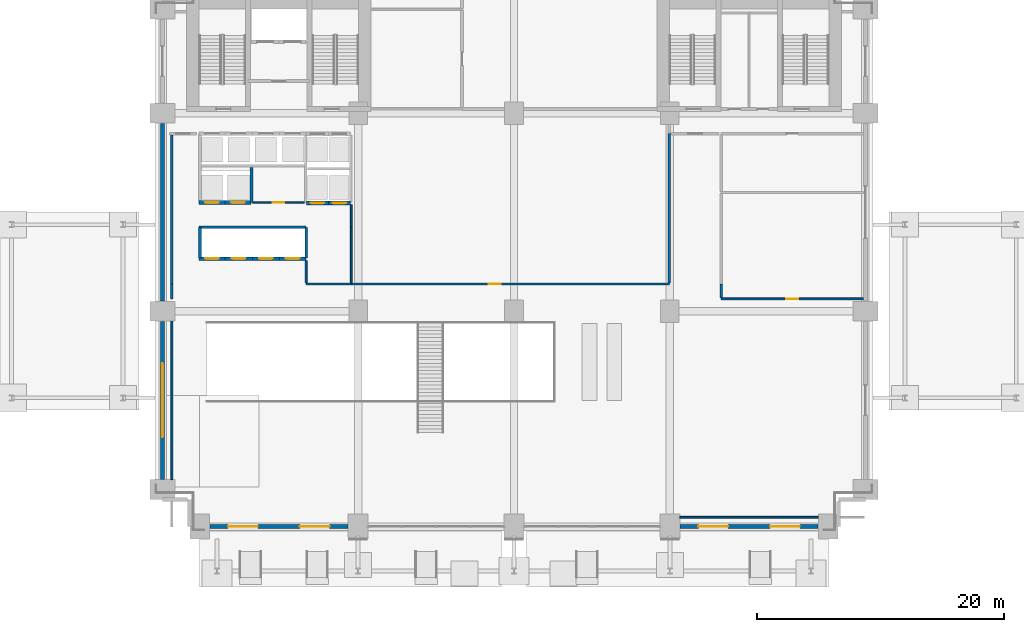
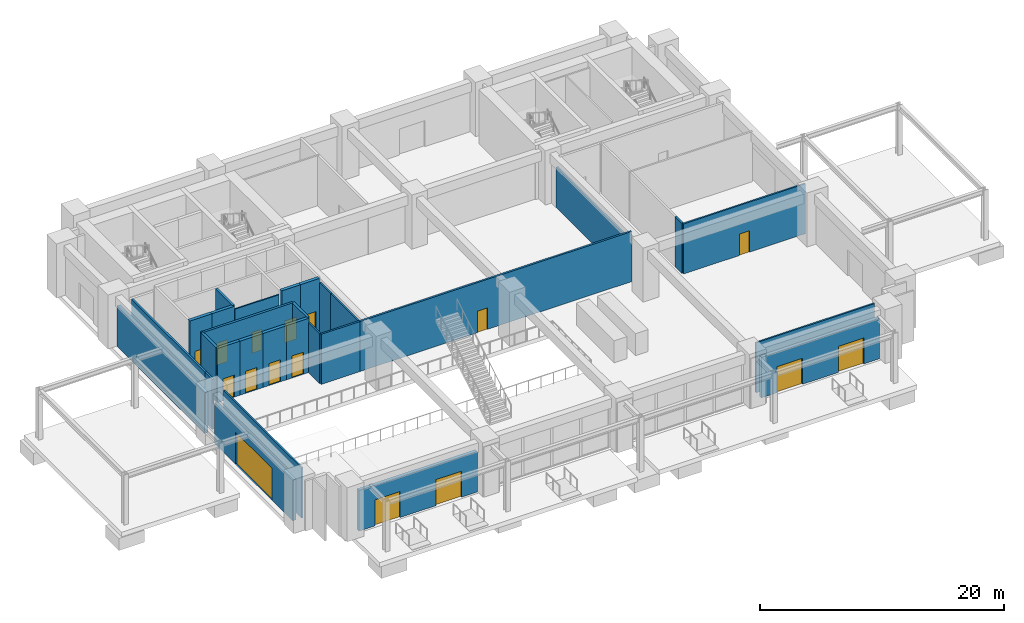
# One storey, part 5 of 14: 29 walls, 16 doors, 16 openings.
"""IFC4 building model written with IfcOpenShell, lengths in metres."""

from ifc_helpers import new_model, si_unit, direction, frame, frame_2d, origin, place, context, subcontext, project, spatial, rectangle, extrude, material, layer, layer_set, type_object, element, fill, save


model = new_model("IFC4")

# Units and contexts
model_context = context("Model", 3, precision=1e-05, world=origin(), true_north=direction((0.0, 1.0)))
body_context = subcontext(model_context, "Body", "Model", "MODEL_VIEW")
ifc_project = project(units=[si_unit("LENGTHUNIT", "METRE"), si_unit("AREAUNIT", "SQUARE_METRE"), si_unit("VOLUMEUNIT", "CUBIC_METRE"), si_unit("PLANEANGLEUNIT", "RADIAN"), si_unit("MASSUNIT", "GRAM", prefix="KILO")], contexts=[model_context])

# Site, building, storey
site_placement = place(None, origin())
site = spatial("IfcSite", under=ifc_project, at=site_placement, CompositionType="ELEMENT")
building_placement = place(site_placement, origin())
building = spatial("IfcBuilding", under=site, at=building_placement, Name="Sulina Concourse Tower", CompositionType="ELEMENT")
storey_placement = place(building_placement, origin())
storey = spatial("IfcBuildingStorey", under=building, at=storey_placement, Name="L00", CompositionType="ELEMENT", Elevation=0.0)

# Walls
ifc_material_1 = material(Name="Concrete C50/60", Category="concrete")
ifc_layer_1 = layer(ifc_material_1, 0.219970703125)
ifc_layer_set_1 = layer_set([ifc_layer_1], Name="Concrete C50/60")
wall_type_1 = type_object("IfcWallType", Name="Core Lift Hoistway Divider Wall 220mm", PredefinedType="SOLIDWALL", material=ifc_layer_set_1)
wall_1_placement = place(storey_placement, frame((7.780029296875, 26.800048828125, 0.0), z_axis=(0.0, 0.0, 1.0), x_axis=(0.0, 1.0, 0.0)))
element("IfcWall", 1, at=wall_1_placement, inside=storey, type_object=wall_type_1, Name="L00 shaft divider wall HW-EXP-E", PredefinedType="SOLIDWALL", context=body_context, shape_type="SweptSolid", body=[
    extrude(rectangle(XDim=2.800048828125, YDim=0.219970703125, at=frame_2d((1.39990234375, 0.0))), origin(), (0.0, 0.0, 1.0), 5.39990234375),
])
wall_2_placement = place(storey_placement, frame((3.550048828125, 24.780029296875, 0.0), z_axis=(0.0, 0.0, 1.0), x_axis=(1.0, 0.0, 0.0)))
element("IfcWall", 2, at=wall_2_placement, inside=storey, type_object=wall_type_1, Name="L00 shaft divider wall HW-LP1-N", PredefinedType="SOLIDWALL", context=body_context, shape_type="SweptSolid", body=[
    extrude(rectangle(XDim=8.64990234375, YDim=0.219970703125, at=frame_2d((4.324951171875, 0.0))), origin(), (0.0, 0.0, 1.0), 5.39990234375),
])
for number, where, z_axis, x_axis, name in (
    (3, (3.6298828125, 22.300048828125, 0.0), (0.0, 0.0, 1.0), (0.0, 1.0, 0.0), "L00 shaft divider wall HW-LP1-W"),
    (4, (12.219970703125, 22.300048828125, 0.0), (0.0, 0.0, 1.0), (0.0, 1.0, 0.0), "L00 shaft divider wall HW-LP1-E"),
):
    element("IfcWall", number, at=place(storey_placement, frame(where, z_axis=z_axis, x_axis=x_axis)), inside=storey, type_object=wall_type_1, Name=name, PredefinedType="SOLIDWALL", context=body_context, shape_type="SweptSolid", body=[
        extrude(rectangle(XDim=2.449951171875, YDim=0.219970703125, at=frame_2d((1.22509765625, 0.0))), origin(), (0.0, 0.0, 1.0), 5.39990234375),
    ])

# Wall, opening, door
ifc_material_2 = material(Name="Concrete C50/60", Category="concrete")
ifc_layer_2 = layer(ifc_material_2, 0.300048828125)
ifc_layer_set_2 = layer_set([ifc_layer_2], Name="Concrete C50/60")
wall_type_2 = type_object("IfcWallType", Name="Core Lift Hoistway Wall 300mm", PredefinedType="SOLIDWALL", material=ifc_layer_set_2)
wall_3_placement = place(storey_placement, frame((5.64990234375, 22.25, 0.0), z_axis=(0.0, 0.0, 1.0), x_axis=(-1.0, 0.0, 0.0)))
wall_3 = element("IfcWall", 5, at=wall_3_placement, inside=storey, type_object=wall_type_2, Name="L00 hoistway enclosure wall LP-01", PredefinedType="SOLIDWALL", context=body_context, shape_type="SweptSolid", body=[
    extrude(rectangle(XDim=2.099853515625, YDim=0.300048828125, at=frame_2d((1.0498046875, 0.0))), origin(), (0.0, 0.0, 1.0), 5.39990234375),
])
opening_1_placement = place(wall_3_placement, frame((0.5, 0.0, 0.0)))
opening_1 = element("IfcOpeningElement", 6, at=opening_1_placement, cuts=wall_3, Name="Opening LD-01", PredefinedType="OPENING", context=body_context, shape_type="SweptSolid", body=[
    extrude(rectangle(XDim=1.10009765625, YDim=2.199951171875, at=frame_2d((0.550048828125, 1.10009765625))), frame((0.0, 0.159912109375, 0.0), z_axis=(0.0, -1.0, 0.0), x_axis=(1.0, 0.0, 0.0)), (0.0, 0.0, 1.0), 0.320068359375),
])
ifc_material_3 = material(Name="Stainless steel lift landing door", Category="steel")
ifc_layer_3 = layer(ifc_material_3, 0.050048828125)
ifc_layer_set_3 = layer_set([ifc_layer_3], Name="Stainless steel lift landing door")
door_type_1 = type_object("IfcDoorType", Name="Passenger Lift Sliding Landing Door 1100x2200", OperationType="SLIDING_TO_LEFT", PredefinedType="DOOR", material=ifc_layer_set_3)
door_1_placement = place(opening_1_placement, origin())
door_1 = element("IfcDoor", 7, at=door_1_placement, inside=storey, type_object=door_type_1, Name="L00 lift landing sliding door LP-01", OperationType="SLIDING_TO_LEFT", OverallHeight=2.199951171875, OverallWidth=1.10009765625, PredefinedType="DOOR", context=body_context, shape_type="SweptSolid", body=[
    extrude(rectangle(XDim=1.10009765625, YDim=2.199951171875, at=frame_2d((0.550048828125, 1.10009765625))), frame((0.0, 0.02490234375, 0.0), z_axis=(0.0, -1.0, 0.0), x_axis=(1.0, 0.0, 0.0)), (0.0, 0.0, 1.0), 0.050048828125),
])
fill(opening_1, door_1)

wall_4_placement = place(storey_placement, frame((7.85009765625, 22.25, 0.0), z_axis=(0.0, 0.0, 1.0), x_axis=(-1.0, 0.0, 0.0)))
wall_4 = element("IfcWall", 8, at=wall_4_placement, inside=storey, type_object=wall_type_2, Name="L00 hoistway enclosure wall LP-02", PredefinedType="SOLIDWALL", context=body_context, shape_type="SweptSolid", body=[
    extrude(rectangle(XDim=2.2001953125, YDim=0.300048828125, at=frame_2d((1.10009765625, 0.0))), origin(), (0.0, 0.0, 1.0), 5.39990234375),
])
opening_2_placement = place(wall_4_placement, frame((0.550048828125, 0.0, 0.0)))
opening_2 = element("IfcOpeningElement", 9, at=opening_2_placement, cuts=wall_4, Name="Opening LD-01", PredefinedType="OPENING", context=body_context, shape_type="SweptSolid", body=[
    extrude(rectangle(XDim=1.10009765625, YDim=2.199951171875, at=frame_2d((0.550048828125, 1.10009765625))), frame((0.0, 0.159912109375, 0.0), z_axis=(0.0, -1.0, 0.0), x_axis=(1.0, 0.0, 0.0)), (0.0, 0.0, 1.0), 0.320068359375),
])
door_2_placement = place(opening_2_placement, origin())
door_2 = element("IfcDoor", 10, at=door_2_placement, inside=storey, type_object=door_type_1, Name="L00 lift landing sliding door LP-02", OperationType="SLIDING_TO_RIGHT", OverallHeight=2.199951171875, OverallWidth=1.10009765625, PredefinedType="DOOR", context=body_context, shape_type="SweptSolid", body=[
    extrude(rectangle(XDim=1.10009765625, YDim=2.199951171875, at=frame_2d((0.550048828125, 1.10009765625))), frame((0.0, 0.02490234375, 0.0), z_axis=(0.0, -1.0, 0.0), x_axis=(1.0, 0.0, 0.0)), (0.0, 0.0, 1.0), 0.050048828125),
])
fill(opening_2, door_2)

wall_5_placement = place(storey_placement, frame((10.050048828125, 22.25, 0.0), z_axis=(0.0, 0.0, 1.0), x_axis=(-1.0, 0.0, 0.0)))
wall_5 = element("IfcWall", 11, at=wall_5_placement, inside=storey, type_object=wall_type_2, Name="L00 hoistway enclosure wall LP-03", PredefinedType="SOLIDWALL", context=body_context, shape_type="SweptSolid", body=[
    extrude(rectangle(XDim=2.199951171875, YDim=0.300048828125, at=frame_2d((1.10009765625, 0.0))), origin(), (0.0, 0.0, 1.0), 5.39990234375),
])
opening_3_placement = place(wall_5_placement, frame((0.550048828125, 0.0, 0.0)))
opening_3 = element("IfcOpeningElement", 12, at=opening_3_placement, cuts=wall_5, Name="Opening LD-01", PredefinedType="OPENING", context=body_context, shape_type="SweptSolid", body=[
    extrude(rectangle(XDim=1.10009765625, YDim=2.199951171875, at=frame_2d((0.550048828125, 1.10009765625))), frame((0.0, 0.159912109375, 0.0), z_axis=(0.0, -1.0, 0.0), x_axis=(1.0, 0.0, 0.0)), (0.0, 0.0, 1.0), 0.320068359375),
])
door_3_placement = place(opening_3_placement, origin())
door_3 = element("IfcDoor", 13, at=door_3_placement, inside=storey, type_object=door_type_1, Name="L00 lift landing sliding door LP-03", OperationType="SLIDING_TO_LEFT", OverallHeight=2.199951171875, OverallWidth=1.10009765625, PredefinedType="DOOR", context=body_context, shape_type="SweptSolid", body=[
    extrude(rectangle(XDim=1.10009765625, YDim=2.199951171875, at=frame_2d((0.550048828125, 1.10009765625))), frame((0.0, 0.02490234375, 0.0), z_axis=(0.0, -1.0, 0.0), x_axis=(1.0, 0.0, 0.0)), (0.0, 0.0, 1.0), 0.050048828125),
])
fill(opening_3, door_3)

wall_6_placement = place(storey_placement, frame((12.199951171875, 22.25, 0.0), z_axis=(0.0, 0.0, 1.0), x_axis=(-1.0, 0.0, 0.0)))
wall_6 = element("IfcWall", 14, at=wall_6_placement, inside=storey, type_object=wall_type_2, Name="L00 hoistway enclosure wall LP-04", PredefinedType="SOLIDWALL", context=body_context, shape_type="SweptSolid", body=[
    extrude(rectangle(XDim=2.14990234375, YDim=0.300048828125, at=frame_2d((1.074951171875, 0.0))), origin(), (0.0, 0.0, 1.0), 5.39990234375),
])
opening_4_placement = place(wall_6_placement, frame((0.52490234375, 0.0, 0.0)))
opening_4 = element("IfcOpeningElement", 15, at=opening_4_placement, cuts=wall_6, Name="Opening LD-01", PredefinedType="OPENING", context=body_context, shape_type="SweptSolid", body=[
    extrude(rectangle(XDim=1.10009765625, YDim=2.199951171875, at=frame_2d((0.550048828125, 1.10009765625))), frame((0.0, 0.159912109375, 0.0), z_axis=(0.0, -1.0, 0.0), x_axis=(1.0, 0.0, 0.0)), (0.0, 0.0, 1.0), 0.320068359375),
])
door_4_placement = place(opening_4_placement, origin())
door_4 = element("IfcDoor", 16, at=door_4_placement, inside=storey, type_object=door_type_1, Name="L00 lift landing sliding door LP-04", OperationType="SLIDING_TO_RIGHT", OverallHeight=2.199951171875, OverallWidth=1.10009765625, PredefinedType="DOOR", context=body_context, shape_type="SweptSolid", body=[
    extrude(rectangle(XDim=1.10009765625, YDim=2.199951171875, at=frame_2d((0.550048828125, 1.10009765625))), frame((0.0, 0.02490234375, 0.0), z_axis=(0.0, -1.0, 0.0), x_axis=(1.0, 0.0, 0.0)), (0.0, 0.0, 1.0), 0.050048828125),
])
fill(opening_4, door_4)

wall_7_placement = place(storey_placement, frame((14.0, 26.75, 0.0), z_axis=(0.0, 0.0, 1.0), x_axis=(-1.0, 0.0, 0.0)))
wall_7 = element("IfcWall", 17, at=wall_7_placement, inside=storey, type_object=wall_type_2, Name="L00 hoistway enclosure wall LP-05", PredefinedType="SOLIDWALL", context=body_context, shape_type="SweptSolid", body=[
    extrude(rectangle(XDim=1.780029296875, YDim=0.300048828125, at=frame_2d((0.89013671875, 0.0))), origin(), (0.0, 0.0, 1.0), 5.39990234375),
])
opening_5_placement = place(wall_7_placement, frame((0.340087890625, 0.0, 0.0)))
opening_5 = element("IfcOpeningElement", 18, at=opening_5_placement, cuts=wall_7, Name="Opening LD-01", PredefinedType="OPENING", context=body_context, shape_type="SweptSolid", body=[
    extrude(rectangle(XDim=1.10009765625, YDim=2.199951171875, at=frame_2d((0.550048828125, 1.10009765625))), frame((0.0, 0.159912109375, 0.0), z_axis=(0.0, -1.0, 0.0), x_axis=(1.0, 0.0, 0.0)), (0.0, 0.0, 1.0), 0.320068359375),
])
door_5_placement = place(opening_5_placement, origin())
door_5 = element("IfcDoor", 19, at=door_5_placement, inside=storey, type_object=door_type_1, Name="L00 lift landing sliding door LP-05", OperationType="SLIDING_TO_LEFT", OverallHeight=2.199951171875, OverallWidth=1.10009765625, PredefinedType="DOOR", context=body_context, shape_type="SweptSolid", body=[
    extrude(rectangle(XDim=1.10009765625, YDim=2.199951171875, at=frame_2d((0.550048828125, 1.10009765625))), frame((0.0, 0.02490234375, 0.0), z_axis=(0.0, -1.0, 0.0), x_axis=(1.0, 0.0, 0.0)), (0.0, 0.0, 1.0), 0.050048828125),
])
fill(opening_5, door_5)

wall_8_placement = place(storey_placement, frame((15.780029296875, 26.75, 0.0), z_axis=(0.0, 0.0, 1.0), x_axis=(-1.0, 0.0, 0.0)))
wall_8 = element("IfcWall", 20, at=wall_8_placement, inside=storey, type_object=wall_type_2, Name="L00 hoistway enclosure wall LP-06", PredefinedType="SOLIDWALL", context=body_context, shape_type="SweptSolid", body=[
    extrude(rectangle(XDim=1.780029296875, YDim=0.300048828125, at=frame_2d((0.89013671875, 0.0))), origin(), (0.0, 0.0, 1.0), 5.39990234375),
])
opening_6_placement = place(wall_8_placement, frame((0.340087890625, 0.0, 0.0)))
opening_6 = element("IfcOpeningElement", 21, at=opening_6_placement, cuts=wall_8, Name="Opening LD-01", PredefinedType="OPENING", context=body_context, shape_type="SweptSolid", body=[
    extrude(rectangle(XDim=1.10009765625, YDim=2.199951171875, at=frame_2d((0.550048828125, 1.10009765625))), frame((0.0, 0.159912109375, 0.0), z_axis=(0.0, -1.0, 0.0), x_axis=(1.0, 0.0, 0.0)), (0.0, 0.0, 1.0), 0.320068359375),
])
door_6_placement = place(opening_6_placement, origin())
door_6 = element("IfcDoor", 22, at=door_6_placement, inside=storey, type_object=door_type_1, Name="L00 lift landing sliding door LP-06", OperationType="SLIDING_TO_RIGHT", OverallHeight=2.199951171875, OverallWidth=1.10009765625, PredefinedType="DOOR", context=body_context, shape_type="SweptSolid", body=[
    extrude(rectangle(XDim=1.10009765625, YDim=2.199951171875, at=frame_2d((0.550048828125, 1.10009765625))), frame((0.0, 0.02490234375, 0.0), z_axis=(0.0, -1.0, 0.0), x_axis=(1.0, 0.0, 0.0)), (0.0, 0.0, 1.0), 0.050048828125),
])
fill(opening_6, door_6)

wall_9_placement = place(storey_placement, frame((5.64990234375, 26.780029296875, 0.0), z_axis=(0.0, 0.0, 1.0), x_axis=(-1.0, 0.0, 0.0)))
wall_9 = element("IfcWall", 23, at=wall_9_placement, inside=storey, type_object=wall_type_2, Name="L00 hoistway enclosure wall EXP-1", PredefinedType="SOLIDWALL", context=body_context, shape_type="SweptSolid", body=[
    extrude(rectangle(XDim=2.099853515625, YDim=0.300048828125, at=frame_2d((1.0498046875, 0.0))), origin(), (0.0, 0.0, 1.0), 5.39990234375),
])
opening_7_placement = place(wall_9_placement, frame((0.5, 0.0, 0.0)))
opening_7 = element("IfcOpeningElement", 24, at=opening_7_placement, cuts=wall_9, Name="Opening LD-01", PredefinedType="OPENING", context=body_context, shape_type="SweptSolid", body=[
    extrude(rectangle(XDim=1.10009765625, YDim=2.199951171875, at=frame_2d((0.550048828125, 1.10009765625))), frame((0.0, 0.159912109375, 0.0), z_axis=(0.0, -1.0, 0.0), x_axis=(1.0, 0.0, 0.0)), (0.0, 0.0, 1.0), 0.320068359375),
])
door_7_placement = place(opening_7_placement, origin())
door_7 = element("IfcDoor", 25, at=door_7_placement, inside=storey, type_object=door_type_1, Name="L00 lift landing sliding door EXP-1", OperationType="SLIDING_TO_LEFT", OverallHeight=2.199951171875, OverallWidth=1.10009765625, PredefinedType="DOOR", context=body_context, shape_type="SweptSolid", body=[
    extrude(rectangle(XDim=1.10009765625, YDim=2.199951171875, at=frame_2d((0.550048828125, 1.10009765625))), frame((0.0, 0.02490234375, 0.0), z_axis=(0.0, -1.0, 0.0), x_axis=(1.0, 0.0, 0.0)), (0.0, 0.0, 1.0), 0.050048828125),
])
fill(opening_7, door_7)

wall_10_placement = place(storey_placement, frame((7.75, 26.780029296875, 0.0), z_axis=(0.0, 0.0, 1.0), x_axis=(-1.0, 0.0, 0.0)))
wall_10 = element("IfcWall", 26, at=wall_10_placement, inside=storey, type_object=wall_type_2, Name="L00 hoistway enclosure wall EXP-2", PredefinedType="SOLIDWALL", context=body_context, shape_type="SweptSolid", body=[
    extrude(rectangle(XDim=2.10009765625, YDim=0.300048828125, at=frame_2d((1.050048828125, 0.0))), origin(), (0.0, 0.0, 1.0), 5.39990234375),
])
opening_8_placement = place(wall_10_placement, frame((0.5, 0.0, 0.0)))
opening_8 = element("IfcOpeningElement", 27, at=opening_8_placement, cuts=wall_10, Name="Opening LD-01", PredefinedType="OPENING", context=body_context, shape_type="SweptSolid", body=[
    extrude(rectangle(XDim=1.10009765625, YDim=2.199951171875, at=frame_2d((0.550048828125, 1.10009765625))), frame((0.0, 0.159912109375, 0.0), z_axis=(0.0, -1.0, 0.0), x_axis=(1.0, 0.0, 0.0)), (0.0, 0.0, 1.0), 0.320068359375),
])
door_8_placement = place(opening_8_placement, origin())
door_8 = element("IfcDoor", 28, at=door_8_placement, inside=storey, type_object=door_type_1, Name="L00 lift landing sliding door EXP-2", OperationType="SLIDING_TO_RIGHT", OverallHeight=2.199951171875, OverallWidth=1.10009765625, PredefinedType="DOOR", context=body_context, shape_type="SweptSolid", body=[
    extrude(rectangle(XDim=1.10009765625, YDim=2.199951171875, at=frame_2d((0.550048828125, 1.10009765625))), frame((0.0, 0.02490234375, 0.0), z_axis=(0.0, -1.0, 0.0), x_axis=(1.0, 0.0, 0.0)), (0.0, 0.0, 1.0), 0.050048828125),
])
fill(opening_8, door_8)

# Wall
ifc_material_4 = material(Name="Gypsum board on steel stud", Category="steel")
ifc_layer_4 = layer(ifc_material_4, 0.14990234375)
ifc_layer_set_4 = layer_set([ifc_layer_4], Name="Gypsum board on steel stud")
wall_type_3 = type_object("IfcWallType", Name="Inter-Tenancy Acoustic Partition 150mm", PredefinedType="PARTITIONING", material=ifc_layer_set_4)
wall_11_placement = place(storey_placement, frame((42.39990234375, 1.35009765625, 0.0), z_axis=(0.0, 0.0, 1.0), x_axis=(1.0, 0.0, 0.0)))
element("IfcWall", 29, at=wall_11_placement, inside=storey, type_object=wall_type_3, Name="L00 interior partition 001", PredefinedType="PARTITIONING", context=body_context, shape_type="SweptSolid", body=[
    extrude(rectangle(XDim=11.2001953125, YDim=0.14990234375, at=frame_2d((5.60009765625, 0.0))), origin(), (0.0, 0.0, 1.0), 5.0),
])

# Wall, opening, door
wall_12_placement = place(storey_placement, frame((45.75, 19.0, 0.0), z_axis=(0.0, 0.0, 1.0), x_axis=(1.0, 0.0, 0.0)))
wall_12 = element("IfcWall", 30, at=wall_12_placement, inside=storey, type_object=wall_type_3, Name="L00 interior partition 003", PredefinedType="PARTITIONING", context=body_context, shape_type="SweptSolid", body=[
    extrude(rectangle(XDim=11.489990234375, YDim=0.14990234375, at=frame_2d((5.7451171875, 0.0))), origin(), (0.0, 0.0, 1.0), 5.0),
])
opening_9_placement = place(wall_12_placement, frame((5.27001953125, 0.0, 0.0)))
opening_9 = element("IfcOpeningElement", 31, at=opening_9_placement, cuts=wall_12, Name="Opening DR-19", PredefinedType="OPENING", context=body_context, shape_type="SweptSolid", body=[
    extrude(rectangle(XDim=0.949951171875, YDim=2.14990234375, at=frame_2d((0.47509765625, 1.074951171875))), frame((0.0, 0.0849609375, 0.0), z_axis=(0.0, -1.0, 0.0), x_axis=(1.0, 0.0, 0.0)), (0.0, 0.0, 1.0), 0.169921875),
])
ifc_material_5 = material(Name="Oak-veneered acoustic timber leaf", Category="wood")
ifc_layer_5 = layer(ifc_material_5, 0.050048828125)
ifc_layer_set_5 = layer_set([ifc_layer_5], Name="Oak-veneered acoustic timber leaf")
door_type_2 = type_object("IfcDoorType", Name="Cellular Office & Meeting Door 950x2150", OperationType="NOTDEFINED", PredefinedType="DOOR", material=ifc_layer_set_5)
door_9_placement = place(opening_9_placement, origin())
door_9 = element("IfcDoor", 32, at=door_9_placement, inside=storey, type_object=door_type_2, Name="L00 interior door L00-RET-01", OperationType="SINGLE_SWING_LEFT", OverallHeight=2.14990234375, OverallWidth=0.949951171875, PredefinedType="DOOR", context=body_context, shape_type="SweptSolid", body=[
    extrude(rectangle(XDim=0.949951171875, YDim=2.14990234375, at=frame_2d((0.47509765625, 1.074951171875))), frame((0.0, 0.02490234375, 0.0), z_axis=(0.0, -1.0, 0.0), x_axis=(1.0, 0.0, 0.0)), (0.0, 0.0, 1.0), 0.050048828125),
])
fill(opening_9, door_9)

# Walls
wall_13_placement = place(storey_placement, frame((1.35009765625, 4.39990234375, 0.0), z_axis=(0.0, 0.0, 1.0), x_axis=(0.0, 1.0, 0.0)))
element("IfcWall", 33, at=wall_13_placement, inside=storey, type_object=wall_type_3, Name="L00 interior partition 018", PredefinedType="PARTITIONING", context=body_context, shape_type="SweptSolid", body=[
    extrude(rectangle(XDim=12.800048828125, YDim=0.14990234375, at=frame_2d((6.39990234375, 0.0))), origin(), (0.0, 0.0, 1.0), 5.0),
])
wall_14_placement = place(storey_placement, frame((12.199951171875, 20.2900390625, 0.0), z_axis=(0.0, 0.0, 1.0), x_axis=(0.0, 1.0, 0.0)))
element("IfcWall", 34, at=wall_14_placement, inside=storey, type_object=wall_type_3, Name="L00 interior partition 021", PredefinedType="PARTITIONING", context=body_context, shape_type="SweptSolid", body=[
    extrude(rectangle(XDim=1.81005859375, YDim=0.14990234375, at=frame_2d((0.905029296875, 0.0))), origin(), (0.0, 0.0, 1.0), 5.0),
])
wall_15_placement = place(storey_placement, frame((15.85009765625, 20.2900390625, 0.0), z_axis=(0.0, 0.0, 1.0), x_axis=(0.0, 1.0, 0.0)))
element("IfcWall", 35, at=wall_15_placement, inside=storey, type_object=wall_type_3, Name="L00 interior partition 022", PredefinedType="PARTITIONING", context=body_context, shape_type="SweptSolid", body=[
    extrude(rectangle(XDim=4.510009765625, YDim=0.14990234375, at=frame_2d((2.2548828125, 0.0))), origin(), (0.0, 0.0, 1.0), 5.0),
])
wall_16_placement = place(storey_placement, frame((15.85009765625, 24.800048828125, 0.0), z_axis=(0.0, 0.0, 1.0), x_axis=(0.0, 1.0, 0.0)))
element("IfcWall", 36, at=wall_16_placement, inside=storey, type_object=wall_type_3, Name="L00 interior partition 023", PredefinedType="PARTITIONING", context=body_context, shape_type="SweptSolid", body=[
    extrude(rectangle(XDim=1.800048828125, YDim=0.14990234375, at=frame_2d((0.89990234375, 0.0))), origin(), (0.0, 0.0, 1.0), 5.0),
])

# Wall, openings, doors
ifc_material_6 = material(Name="Precast concrete C50/60", Category="concrete")
ifc_layer_6 = layer(ifc_material_6, 0.320068359375)
ifc_layer_set_6 = layer_set([ifc_layer_6], Name="Precast concrete C50/60")
wall_type_4 = type_object("IfcWallType", Name="Lower Precast Masonry-Frame Facade Wall 320mm", PredefinedType="SOLIDWALL", material=ifc_layer_set_6)
wall_17_placement = place(storey_placement, frame((15.580078125, 0.60009765625, 0.0), z_axis=(0.0, 0.0, 1.0), x_axis=(-1.0, 0.0, 0.0)))
wall_17 = element("IfcWall", 37, at=wall_17_placement, inside=storey, type_object=wall_type_4, Name="L00 exterior precast wall S1", PredefinedType="SOLIDWALL", context=body_context, shape_type="SweptSolid", body=[
    extrude(rectangle(XDim=11.16015625, YDim=0.320068359375, at=frame_2d((5.580078125, 0.0))), origin(), (0.0, 0.0, 1.0), 4.050048828125),
])
opening_10_placement = place(wall_17_placement, frame((1.478515625, 0.0, 0.0)))
opening_10 = element("IfcOpeningElement", 38, at=opening_10_placement, cuts=wall_17, Name="Opening DR-71", PredefinedType="OPENING", context=body_context, shape_type="SweptSolid", body=[
    extrude(rectangle(XDim=2.39990234375, YDim=2.60009765625, at=frame_2d((1.199951171875, 1.300048828125))), frame((0.0, 0.169921875, 0.0), z_axis=(0.0, -1.0, 0.0), x_axis=(1.0, 0.0, 0.0)), (0.0, 0.0, 1.0), 0.340087890625),
])
opening_11_placement = place(wall_17_placement, frame((7.281494140625, 0.0, 0.0)))
opening_11 = element("IfcOpeningElement", 39, at=opening_11_placement, cuts=wall_17, Name="Opening DR-71", PredefinedType="OPENING", context=body_context, shape_type="SweptSolid", body=[
    extrude(rectangle(XDim=2.39990234375, YDim=2.60009765625, at=frame_2d((1.199951171875, 1.300048828125))), frame((0.0, 0.169921875, 0.0), z_axis=(0.0, -1.0, 0.0), x_axis=(1.0, 0.0, 0.0)), (0.0, 0.0, 1.0), 0.340087890625),
])
ifc_material_7 = material(Name="Anodised bronze aluminium and glazed leaf", Category="aluminium")
ifc_layer_7 = layer(ifc_material_7, 0.06005859375)
ifc_layer_set_7 = layer_set([ifc_layer_7], Name="Anodised bronze aluminium and glazed leaf")
door_type_3 = type_object("IfcDoorType", Name="Station Concourse Entrance Door 2400x2600", OperationType="DOUBLE_DOOR_SINGLE_SWING", PredefinedType="DOOR", material=ifc_layer_set_7)
door_10_placement = place(opening_10_placement, origin())
door_10 = element("IfcDoor", 40, at=door_10_placement, inside=storey, type_object=door_type_3, Name="L00 exterior door ED-01", OperationType="DOUBLE_DOOR_SINGLE_SWING", OverallHeight=2.60009765625, OverallWidth=2.39990234375, PredefinedType="DOOR", context=body_context, shape_type="SweptSolid", body=[
    extrude(rectangle(XDim=2.39990234375, YDim=2.60009765625, at=frame_2d((1.199951171875, 1.300048828125))), frame((0.0, 0.02490234375, 0.0), z_axis=(0.0, -1.0, 0.0), x_axis=(1.0, 0.0, 0.0)), (0.0, 0.0, 1.0), 0.050048828125),
])
fill(opening_10, door_10)
door_11_placement = place(opening_11_placement, origin())
door_11 = element("IfcDoor", 41, at=door_11_placement, inside=storey, type_object=door_type_3, Name="L00 exterior door ED-05", OperationType="DOUBLE_DOOR_SINGLE_SWING", OverallHeight=2.60009765625, OverallWidth=2.39990234375, PredefinedType="DOOR", context=body_context, shape_type="SweptSolid", body=[
    extrude(rectangle(XDim=2.39990234375, YDim=2.60009765625, at=frame_2d((1.199951171875, 1.300048828125))), frame((0.0, 0.02490234375, 0.0), z_axis=(0.0, -1.0, 0.0), x_axis=(1.0, 0.0, 0.0)), (0.0, 0.0, 1.0), 0.050048828125),
])
fill(opening_11, door_11)

wall_18_placement = place(storey_placement, frame((53.580078125, 0.60009765625, 0.0), z_axis=(0.0, 0.0, 1.0), x_axis=(-1.0, 0.0, 0.0)))
wall_18 = element("IfcWall", 42, at=wall_18_placement, inside=storey, type_object=wall_type_4, Name="L00 exterior precast wall S4", PredefinedType="SOLIDWALL", context=body_context, shape_type="SweptSolid", body=[
    extrude(rectangle(XDim=11.16015625, YDim=0.320068359375, at=frame_2d((5.580078125, 0.0))), origin(), (0.0, 0.0, 1.0), 4.050048828125),
])
opening_12_placement = place(wall_18_placement, frame((1.478515625, 0.0, 0.0)))
opening_12 = element("IfcOpeningElement", 43, at=opening_12_placement, cuts=wall_18, Name="Opening DR-71", PredefinedType="OPENING", context=body_context, shape_type="SweptSolid", body=[
    extrude(rectangle(XDim=2.39990234375, YDim=2.60009765625, at=frame_2d((1.199951171875, 1.300048828125))), frame((0.0, 0.169921875, 0.0), z_axis=(0.0, -1.0, 0.0), x_axis=(1.0, 0.0, 0.0)), (0.0, 0.0, 1.0), 0.340087890625),
])
opening_13_placement = place(wall_18_placement, frame((7.281494140625, 0.0, 0.0)))
opening_13 = element("IfcOpeningElement", 44, at=opening_13_placement, cuts=wall_18, Name="Opening DR-71", PredefinedType="OPENING", context=body_context, shape_type="SweptSolid", body=[
    extrude(rectangle(XDim=2.39990234375, YDim=2.60009765625, at=frame_2d((1.199951171875, 1.300048828125))), frame((0.0, 0.169921875, 0.0), z_axis=(0.0, -1.0, 0.0), x_axis=(1.0, 0.0, 0.0)), (0.0, 0.0, 1.0), 0.340087890625),
])
door_12_placement = place(opening_12_placement, origin())
door_12 = element("IfcDoor", 45, at=door_12_placement, inside=storey, type_object=door_type_3, Name="L00 exterior door ED-02", OperationType="DOUBLE_DOOR_SINGLE_SWING", OverallHeight=2.60009765625, OverallWidth=2.39990234375, PredefinedType="DOOR", context=body_context, shape_type="SweptSolid", body=[
    extrude(rectangle(XDim=2.39990234375, YDim=2.60009765625, at=frame_2d((1.199951171875, 1.300048828125))), frame((0.0, 0.02490234375, 0.0), z_axis=(0.0, -1.0, 0.0), x_axis=(1.0, 0.0, 0.0)), (0.0, 0.0, 1.0), 0.050048828125),
])
fill(opening_12, door_12)
door_13_placement = place(opening_13_placement, origin())
door_13 = element("IfcDoor", 46, at=door_13_placement, inside=storey, type_object=door_type_3, Name="L00 exterior door ED-06", OperationType="DOUBLE_DOOR_SINGLE_SWING", OverallHeight=2.60009765625, OverallWidth=2.39990234375, PredefinedType="DOOR", context=body_context, shape_type="SweptSolid", body=[
    extrude(rectangle(XDim=2.39990234375, YDim=2.60009765625, at=frame_2d((1.199951171875, 1.300048828125))), frame((0.0, 0.02490234375, 0.0), z_axis=(0.0, -1.0, 0.0), x_axis=(1.0, 0.0, 0.0)), (0.0, 0.0, 1.0), 0.050048828125),
])
fill(opening_13, door_13)

# Wall, opening, door
wall_19_placement = place(storey_placement, frame((0.60009765625, 4.419921875, 0.0), z_axis=(0.0, 0.0, 1.0), x_axis=(0.0, 1.0, 0.0)))
wall_19 = element("IfcWall", 47, at=wall_19_placement, inside=storey, type_object=wall_type_4, Name="L00 exterior precast wall W1", PredefinedType="SOLIDWALL", context=body_context, shape_type="SweptSolid", body=[
    extrude(rectangle(XDim=12.760009765625, YDim=0.320068359375, at=frame_2d((6.3798828125, 0.0))), origin(), (0.0, 0.0, 1.0), 4.050048828125),
])
opening_14_placement = place(wall_19_placement, frame((3.3798828125, 0.0, 0.0)))
opening_14 = element("IfcOpeningElement", 48, at=opening_14_placement, cuts=wall_19, Name="Opening VG-01", PredefinedType="OPENING", context=body_context, shape_type="SweptSolid", body=[
    extrude(rectangle(XDim=6.0, YDim=3.199951171875, at=frame_2d((3.0, 1.60009765625))), frame((0.0, 0.169921875, 0.0), z_axis=(0.0, -1.0, 0.0), x_axis=(1.0, 0.0, 0.0)), (0.0, 0.0, 1.0), 0.340087890625),
])
ifc_material_8 = material(Name="Galvanised steel roller shutter", Category="steel")
ifc_layer_8 = layer(ifc_material_8, 0.06005859375)
ifc_layer_set_8 = layer_set([ifc_layer_8], Name="Galvanised steel roller shutter")
door_type_4 = type_object("IfcDoorType", Name="Car Park Vehicle Roller Shutter Gate 6000x3200", OperationType="ROLLINGUP", PredefinedType="GATE", material=ifc_layer_set_8)
door_14_placement = place(opening_14_placement, origin())
door_14 = element("IfcDoor", 49, at=door_14_placement, inside=storey, type_object=door_type_4, Name="L00 exterior door VG-01", OperationType="ROLLINGUP", OverallHeight=3.199951171875, OverallWidth=6.0, PredefinedType="GATE", context=body_context, shape_type="SweptSolid", body=[
    extrude(rectangle(XDim=6.0, YDim=3.199951171875, at=frame_2d((3.0, 1.60009765625))), frame((0.0, 0.02490234375, 0.0), z_axis=(0.0, -1.0, 0.0), x_axis=(1.0, 0.0, 0.0)), (0.0, 0.0, 1.0), 0.050048828125),
])
fill(opening_14, door_14)

# Walls
wall_20_placement = place(storey_placement, frame((0.60009765625, 18.820068359375, 0.0), z_axis=(0.0, 0.0, 1.0), x_axis=(0.0, 1.0, 0.0)))
element("IfcWall", 50, at=wall_20_placement, inside=storey, type_object=wall_type_4, Name="L00 exterior precast wall W2", PredefinedType="SOLIDWALL", context=body_context, shape_type="SweptSolid", body=[
    extrude(rectangle(XDim=14.35986328125, YDim=0.320068359375, at=frame_2d((7.179931640625, 0.0))), origin(), (0.0, 0.0, 1.0), 4.050048828125),
])
ifc_material_9 = material(Name="Gypsum board on steel stud", Category="steel")
ifc_layer_9 = layer(ifc_material_9, 0.179931640625)
ifc_layer_set_9 = layer_set([ifc_layer_9], Name="Gypsum board on steel stud")
wall_type_5 = type_object("IfcWallType", Name="Protected Corridor & Riser Partition 180mm", PredefinedType="PARTITIONING", material=ifc_layer_set_9)
wall_21_placement = place(storey_placement, frame((12.199951171875, 20.199951171875, 0.0), z_axis=(0.0, 0.0, 1.0), x_axis=(1.0, 0.0, 0.0)))
element("IfcWall", 51, at=wall_21_placement, inside=storey, type_object=wall_type_5, Name="L00 interior partition 004", PredefinedType="PARTITIONING", context=body_context, shape_type="SweptSolid", body=[
    extrude(rectangle(XDim=3.650146484375, YDim=0.179931640625, at=frame_2d((1.8251953125, 0.0))), origin(), (0.0, 0.0, 1.0), 5.0),
])

# Wall, opening, door
wall_22_placement = place(storey_placement, frame((15.85009765625, 20.199951171875, 0.0), z_axis=(0.0, 0.0, 1.0), x_axis=(1.0, 0.0, 0.0)))
wall_22 = element("IfcWall", 52, at=wall_22_placement, inside=storey, type_object=wall_type_5, Name="L00 interior partition 005", PredefinedType="PARTITIONING", context=body_context, shape_type="SweptSolid", body=[
    extrude(rectangle(XDim=25.699951171875, YDim=0.179931640625, at=frame_2d((12.85009765625, 0.0))), origin(), (0.0, 0.0, 1.0), 5.0),
])
opening_15_placement = place(wall_22_placement, frame((11.114990234375, 0.0, 0.0)))
opening_15 = element("IfcOpeningElement", 53, at=opening_15_placement, cuts=wall_22, Name="Opening DR-19", PredefinedType="OPENING", context=body_context, shape_type="SweptSolid", body=[
    extrude(rectangle(XDim=0.949951171875, YDim=2.14990234375, at=frame_2d((0.47509765625, 1.074951171875))), frame((0.0, 0.099853515625, 0.0), z_axis=(0.0, -1.0, 0.0), x_axis=(1.0, 0.0, 0.0)), (0.0, 0.0, 1.0), 0.199951171875),
])
door_15_placement = place(opening_15_placement, origin())
door_15 = element("IfcDoor", 54, at=door_15_placement, inside=storey, type_object=door_type_2, Name="L00 interior door L00-TICKET", OperationType="SINGLE_SWING_RIGHT", OverallHeight=2.14990234375, OverallWidth=0.949951171875, PredefinedType="DOOR", context=body_context, shape_type="SweptSolid", body=[
    extrude(rectangle(XDim=0.949951171875, YDim=2.14990234375, at=frame_2d((0.47509765625, 1.074951171875))), frame((0.0, 0.02490234375, 0.0), z_axis=(0.0, -1.0, 0.0), x_axis=(1.0, 0.0, 0.0)), (0.0, 0.0, 1.0), 0.050048828125),
])
fill(opening_15, door_15)

# Walls
wall_23_placement = place(storey_placement, frame((1.35009765625, 19.0, 0.0), z_axis=(0.0, 0.0, 1.0), x_axis=(0.0, 1.0, 0.0)))
element("IfcWall", 55, at=wall_23_placement, inside=storey, type_object=wall_type_5, Name="L00 interior partition 019", PredefinedType="PARTITIONING", context=body_context, shape_type="SweptSolid", body=[
    extrude(rectangle(XDim=1.199951171875, YDim=0.179931640625, at=frame_2d((0.60009765625, 0.0))), origin(), (0.0, 0.0, 1.0), 5.0),
])
wall_24_placement = place(storey_placement, frame((1.35009765625, 20.199951171875, 0.0), z_axis=(0.0, 0.0, 1.0), x_axis=(0.0, 1.0, 0.0)))
element("IfcWall", 56, at=wall_24_placement, inside=storey, type_object=wall_type_5, Name="L00 interior partition 020", PredefinedType="PARTITIONING", context=body_context, shape_type="SweptSolid", body=[
    extrude(rectangle(XDim=12.0400390625, YDim=0.179931640625, at=frame_2d((6.02001953125, 0.0))), origin(), (0.0, 0.0, 1.0), 5.0),
])
wall_25_placement = place(storey_placement, frame((41.550048828125, 20.2900390625, 0.0), z_axis=(0.0, 0.0, 1.0), x_axis=(0.0, 1.0, 0.0)))
element("IfcWall", 57, at=wall_25_placement, inside=storey, type_object=wall_type_5, Name="L00 interior partition 026", PredefinedType="PARTITIONING", context=body_context, shape_type="SweptSolid", body=[
    extrude(rectangle(XDim=12.06005859375, YDim=0.179931640625, at=frame_2d((6.030029296875, 0.0))), origin(), (0.0, 0.0, 1.0), 4.044921875),
])
wall_26_placement = place(storey_placement, frame((45.75, 19.074951171875, 0.0), z_axis=(0.0, 0.0, 1.0), x_axis=(0.0, 1.0, 0.0)))
element("IfcWall", 58, at=wall_26_placement, inside=storey, type_object=wall_type_5, Name="L00 interior partition 029", PredefinedType="PARTITIONING", context=body_context, shape_type="SweptSolid", body=[
    extrude(rectangle(XDim=1.125, YDim=0.179931640625, at=frame_2d((0.5625, 0.0))), origin(), (0.0, 0.0, 1.0), 5.0),
])

# Wall, opening, door
ifc_material_10 = material(Name="Gypsum board on steel stud", Category="steel")
ifc_layer_10 = layer(ifc_material_10, 0.125)
ifc_layer_set_10 = layer_set([ifc_layer_10], Name="Gypsum board on steel stud")
wall_type_6 = type_object("IfcWallType", Name="Wet-Area Moisture-Resistant Partition 125mm", PredefinedType="PARTITIONING", material=ifc_layer_set_10)
wall_27_placement = place(storey_placement, frame((7.889892578125, 26.800048828125, 0.0), z_axis=(0.0, 0.0, 1.0), x_axis=(1.0, 0.0, 0.0)))
wall_27 = element("IfcWall", 59, at=wall_27_placement, inside=storey, type_object=wall_type_6, Name="L00 interior partition 006", PredefinedType="PARTITIONING", context=body_context, shape_type="SweptSolid", body=[
    extrude(rectangle(XDim=4.16015625, YDim=0.125, at=frame_2d((2.080078125, 0.0))), origin(), (0.0, 0.0, 1.0), 5.0),
])
opening_16_placement = place(wall_27_placement, frame((1.6201171875, 0.0, 0.0)))
opening_16 = element("IfcOpeningElement", 60, at=opening_16_placement, cuts=wall_27, Name="Opening DR-61", PredefinedType="OPENING", context=body_context, shape_type="SweptSolid", body=[
    extrude(rectangle(XDim=0.919921875, YDim=2.10009765625, at=frame_2d((0.4599609375, 1.050048828125))), frame((0.0, 0.072509765625, 0.0), z_axis=(0.0, -1.0, 0.0), x_axis=(1.0, 0.0, 0.0)), (0.0, 0.0, 1.0), 0.14501953125),
])
ifc_material_11 = material(Name="Oak-veneered fire door leaf")
ifc_layer_11 = layer(ifc_material_11, 0.050048828125)
ifc_layer_set_11 = layer_set([ifc_layer_11], Name="Oak-veneered fire door leaf")
door_type_5 = type_object("IfcDoorType", Name="Accessible WC Door 920x2100", OperationType="NOTDEFINED", PredefinedType="DOOR", material=ifc_layer_set_11)
door_16_placement = place(opening_16_placement, origin())
door_16 = element("IfcDoor", 61, at=door_16_placement, inside=storey, type_object=door_type_5, Name="L00 interior door L00-WC-ACC", OperationType="SINGLE_SWING_LEFT", OverallHeight=2.10009765625, OverallWidth=0.919921875, PredefinedType="DOOR", context=body_context, shape_type="SweptSolid", body=[
    extrude(rectangle(XDim=0.919921875, YDim=2.10009765625, at=frame_2d((0.4599609375, 1.050048828125))), frame((0.0, 0.02490234375, 0.0), z_axis=(0.0, -1.0, 0.0), x_axis=(1.0, 0.0, 0.0)), (0.0, 0.0, 1.0), 0.050048828125),
])
fill(opening_16, door_16)

save(model, "model.ifc")
